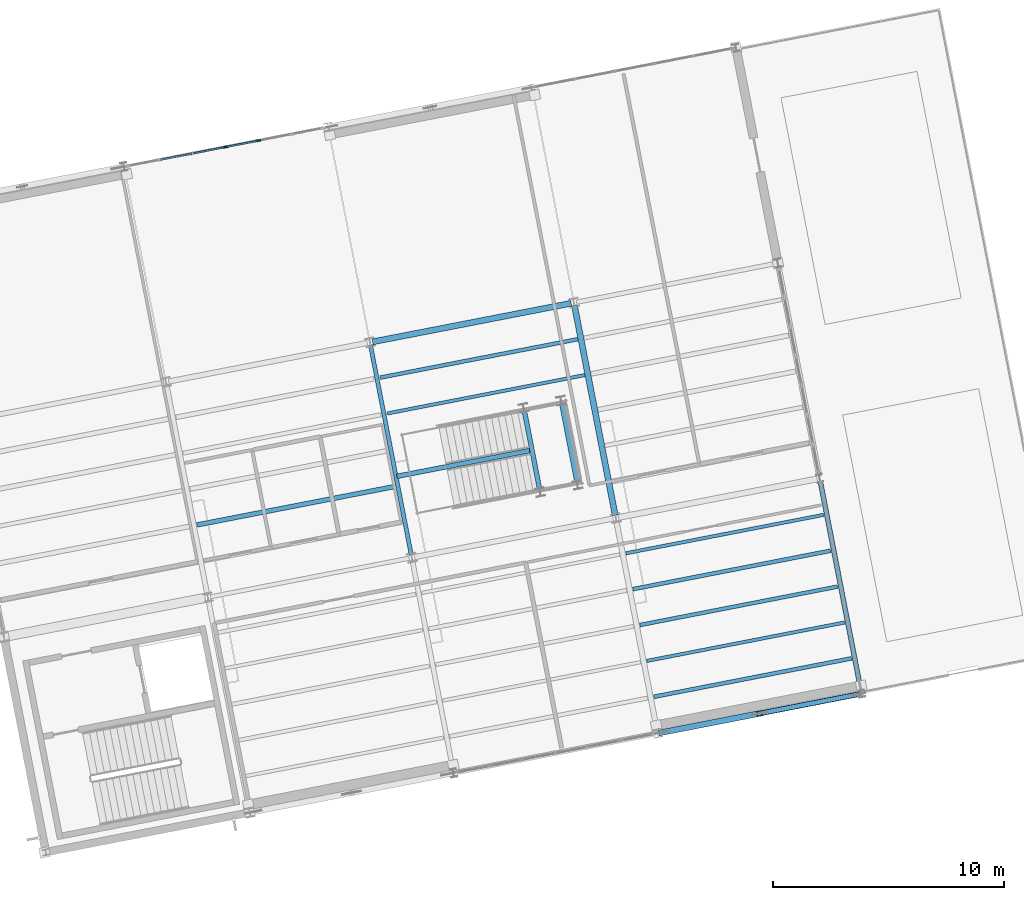
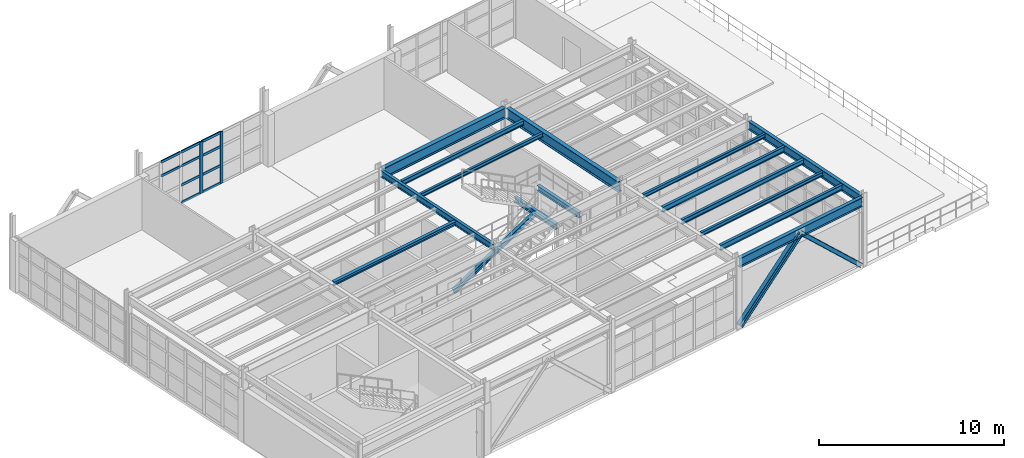
# One storey, part 23 of 109: 15 beams, 15 members, 1 element without a shape of its own.
"""IFC4 building model written with IfcOpenShell, lengths in metres."""

from ifc_helpers import new_model, si_unit, direction, frame, origin, origin_2d, place, context, subcontext, project, spatial, rectangle, i_section, extrude, material, layer, layer_set, material_profile, profile_set, type_object, element, aggregate, save


model = new_model("IFC4")

# Units and contexts
model_context = context("Model", 3, precision=1e-05, world=origin(), true_north=direction((0.0, 1.0)))
body_context = subcontext(model_context, "Body", "Model", "MODEL_VIEW")
ifc_project = project(units=[si_unit("LENGTHUNIT", "METRE"), si_unit("AREAUNIT", "SQUARE_METRE"), si_unit("VOLUMEUNIT", "CUBIC_METRE"), si_unit("PLANEANGLEUNIT", "RADIAN"), si_unit("MASSUNIT", "GRAM", prefix="KILO")], contexts=[model_context])

# Site, building, storey
site_placement = place(None, origin())
site = spatial("IfcSite", under=ifc_project, at=site_placement, CompositionType="ELEMENT")
building_placement = place(site_placement, origin())
building = spatial("IfcBuilding", under=site, at=building_placement, Name="Vireo Bluff Cable Station", CompositionType="ELEMENT")
storey_placement = place(building_placement, frame((0.0, 0.0, 4.800048828125)))
storey = spatial("IfcBuildingStorey", under=building, at=storey_placement, Name="L01", CompositionType="ELEMENT", Elevation=4.800048828125)

# Beams
ifc_material_1 = material(Name="Steel ASTM A992 Gr. 50", Category="steel")
ifc_material_profile_1 = material_profile(ifc_material_1, i_section(OverallWidth=0.2041015625, OverallDepth=0.35009765625, WebThickness=0.008544921875, FlangeThickness=0.01513671875, FilletRadius=0.010009765625, at=origin_2d()), Name="W14X48")
ifc_profile_set_1 = profile_set([ifc_material_profile_1], Name="Steel ASTM A992 Gr. 50")
beam_type_1 = type_object("IfcBeamType", Name="BM-W14X48", PredefinedType="BEAM", material=ifc_profile_set_1)
for number, where, z_axis, x_axis, name in (
    (1, (30.891357421875, 21.230712890625, 2.02490234375), (-0.190776574878, 0.981633484799, 0.0), (-0.981633484799, -0.190776574878, 0.0), "ST-07 L01 landing header beam N"),
    (2, (32.51123046875, 21.545654296875, 2.02490234375), (-0.190844963789, 0.981620191213, 0.0), (-0.981620191213, -0.190844963789, 0.0), "ST-07 L01 landing header beam F"),
):
    element("IfcBeam", number, at=place(storey_placement, frame(where, z_axis=z_axis, x_axis=x_axis)), inside=storey, type_object=beam_type_1, Name=name, PredefinedType="BEAM", context=body_context, shape_type="SweptSolid", body=[
        extrude(i_section(OverallWidth=0.2041015625, OverallDepth=0.35009765625, WebThickness=0.008544921875, FlangeThickness=0.01513671875, FilletRadius=0.010009765625, at=origin_2d()), origin(), (0.0, 0.0, 1.0), 3.43994140625),
    ])
ifc_material_profile_2 = material_profile(ifc_material_1, i_section(OverallWidth=0.178955078125, OverallDepth=0.408935546875, WebThickness=0.0087890625, FlangeThickness=0.014404296875, FilletRadius=0.010009765625, at=origin_2d()), Name="W16X45")
ifc_profile_set_2 = profile_set([ifc_material_profile_2], Name="Steel ASTM A992 Gr. 50")
beam_type_2 = type_object("IfcBeamType", Name="BM-W16X45", PredefinedType="BEAM", material=ifc_profile_set_2)
beam_1_placement = place(storey_placement, frame((25.333740234375, 18.3779296875, 4.33544921875), z_axis=(-0.190804735679, 0.981628011439, 0.0), x_axis=(-0.981628011439, -0.190804735679, 0.0)))
element("IfcBeam", 3, at=beam_1_placement, inside=storey, type_object=beam_type_2, Name="V5 L01 beam 1209", PredefinedType="BEAM", context=body_context, shape_type="SweptSolid", body=[
    extrude(i_section(OverallWidth=0.178955078125, OverallDepth=0.408935546875, WebThickness=0.0087890625, FlangeThickness=0.014404296875, FilletRadius=0.010009765625, at=origin_2d()), origin(), (0.0, 0.0, 1.0), 9.260009765625),
])

# Members
ifc_material_profile_3 = material_profile(ifc_material_1, i_section(OverallWidth=0.2041015625, OverallDepth=0.257080078125, WebThickness=0.0087890625, FlangeThickness=0.015625, FilletRadius=0.009033203125, at=origin_2d()), Name="W10X45")
ifc_profile_set_3 = profile_set([ifc_material_profile_3], Name="Steel ASTM A992 Gr. 50")
member_type_1 = type_object("IfcMemberType", Name="BRC-01", PredefinedType="BRACE", material=ifc_profile_set_3)
member_1_placement = place(storey_placement, frame((44.681396484375, 12.338623046875, 0.0400390625), z_axis=(-0.710296245471, -0.138070192816, 0.690228850111), x_axis=(0.190812443151, -0.981626513262, 0.0)))
element("IfcMember", 4, at=member_1_placement, inside=storey, type_object=member_type_1, Name="V5 L01 concentric brace 96R", PredefinedType="BRACE", context=body_context, shape_type="SweptSolid", body=[
    extrude(i_section(OverallWidth=0.2041015625, OverallDepth=0.257080078125, WebThickness=0.0087890625, FlangeThickness=0.015625, FilletRadius=0.009033203125, at=origin_2d()), origin(), (0.0, 0.0, 1.0), 5.997802734375),
])
ifc_material_profile_4 = material_profile(ifc_material_1, i_section(OverallWidth=0.25390625, OverallDepth=0.35302734375, WebThickness=0.009521484375, FlangeThickness=0.016357421875, FilletRadius=0.011962890625, at=origin_2d()), Name="W14X61")
ifc_profile_set_4 = profile_set([ifc_material_profile_4], Name="Steel ASTM A992 Gr. 50")
member_type_2 = type_object("IfcMemberType", Name="BRC-06", PredefinedType="BRACE", material=ifc_profile_set_4)
member_2_placement = place(storey_placement, frame((36.160888671875, 10.682373046875, 0.0400390625), z_axis=(0.710296245471, 0.138070192816, 0.690228850111), x_axis=(-0.190812443151, 0.981626513262, 0.0)))
element("IfcMember", 5, at=member_2_placement, inside=storey, type_object=member_type_2, Name="V5 L01 concentric brace 95L", PredefinedType="BRACE", context=body_context, shape_type="SweptSolid", body=[
    extrude(i_section(OverallWidth=0.25390625, OverallDepth=0.35302734375, WebThickness=0.009521484375, FlangeThickness=0.016357421875, FilletRadius=0.011962890625, at=origin_2d()), origin(), (0.0, 0.0, 1.0), 5.997802734375),
])

# Curtain wall, members
ifc_material_2 = material(Name="Anodized Aluminium 6063-T6", Category="aluminium")
ifc_layer = layer(ifc_material_2, 0.179931640625, Name="Anodized Aluminium 6063-T6")
ifc_layer_set = layer_set([ifc_layer], Name="Anodized Aluminium 6063-T6")
curtain_wall_type = type_object("IfcCurtainWallType", Name="CW-UNIT-1500", PredefinedType="USERDEFINED", material=ifc_layer_set)
curtain_wall_placement = place(storey_placement, origin())
curtain_wall = element("IfcCurtainWall", 6, at=curtain_wall_placement, inside=storey, type_object=curtain_wall_type, Name="V5 L01 north curtain wall CW-121", ObjectType="UNITISED CURTAIN WALL", PredefinedType="USERDEFINED")
ifc_material_profile_5 = material_profile(ifc_material_2, rectangle(XDim=0.074951171875, YDim=0.2099609375, at=origin_2d()), Name="ALU-M-75X210")
ifc_profile_set_5 = profile_set([ifc_material_profile_5], Name="Anodized Aluminium 6063-T6")
member_type_3 = type_object("IfcMemberType", Name="CWM-02", PredefinedType="MULLION", material=ifc_profile_set_5)
member_3_placement = place(storey_placement, frame((17.2861328125, 36.046875, 0.0), z_axis=(0.0, 0.0, 1.0), x_axis=(-0.190808984446, 0.981627185572, 0.0)))
member_3 = element("IfcMember", 7, at=member_3_placement, type_object=member_type_3, Name="CW-121 mullion 4", PredefinedType="MULLION", context=body_context, shape_type="SweptSolid", body=[
    extrude(rectangle(XDim=0.074951171875, YDim=0.2099609375, at=origin_2d()), origin(), (0.0, 0.0, 1.0), 3.39990234375),
])
member_4_placement = place(storey_placement, frame((18.706787109375, 36.322998046875, 0.0), z_axis=(0.0, 0.0, 1.0), x_axis=(-0.190808984446, 0.981627185572, 0.0)))
member_4 = element("IfcMember", 8, at=member_4_placement, type_object=member_type_3, Name="CW-121 mullion 5", PredefinedType="MULLION", context=body_context, shape_type="SweptSolid", body=[
    extrude(rectangle(XDim=0.074951171875, YDim=0.2099609375, at=origin_2d()), origin(), (0.0, 0.0, 1.0), 3.39990234375),
])
ifc_material_profile_6 = material_profile(ifc_material_2, rectangle(XDim=0.074951171875, YDim=0.159912109375, at=origin_2d()), Name="ALU-T-75X160")
ifc_profile_set_6 = profile_set([ifc_material_profile_6], Name="Anodized Aluminium 6063-T6")
member_type_4 = type_object("IfcMemberType", Name="CWT-02", PredefinedType="USERDEFINED", material=ifc_profile_set_6)
member_5_placement = place(storey_placement, frame((14.48193359375, 35.501708984375, 2.447998046875), z_axis=(0.981607054743, 0.190912519438, 0.0), x_axis=(-0.190912519438, 0.981607054743, 0.0)))
member_5 = element("IfcMember", 9, at=member_5_placement, type_object=member_type_4, Name="CW-121 transom 2.3", ObjectType="TRANSOM", PredefinedType="USERDEFINED", context=body_context, shape_type="SweptSolid", body=[
    extrude(rectangle(XDim=0.074951171875, YDim=0.159912109375, at=origin_2d()), origin(), (0.0, 0.0, 1.0), 1.3720703125),
])
member_6_placement = place(storey_placement, frame((14.48193359375, 35.501708984375, 3.362548828125), z_axis=(0.981607054743, 0.190912519438, 0.0), x_axis=(-0.190912519438, 0.981607054743, 0.0)))
member_6 = element("IfcMember", 10, at=member_6_placement, type_object=member_type_4, Name="CW-121 transom 2.4", ObjectType="TRANSOM", PredefinedType="USERDEFINED", context=body_context, shape_type="SweptSolid", body=[
    extrude(rectangle(XDim=0.074951171875, YDim=0.159912109375, at=origin_2d()), origin(), (0.0, 0.0, 1.0), 1.3720703125),
])
member_7_placement = place(storey_placement, frame((15.902587890625, 35.77783203125, 0.037353515625), z_axis=(0.981600568141, 0.190945868313, 0.0), x_axis=(-0.190945868313, 0.981600568141, 0.0)))
member_7 = element("IfcMember", 11, at=member_7_placement, type_object=member_type_4, Name="CW-121 transom 3.1", ObjectType="TRANSOM", PredefinedType="USERDEFINED", context=body_context, shape_type="SweptSolid", body=[
    extrude(rectangle(XDim=0.074951171875, YDim=0.159912109375, at=origin_2d()), origin(), (0.0, 0.0, 1.0), 1.371826171875),
])
member_8_placement = place(storey_placement, frame((15.902587890625, 35.77783203125, 1.18994140625), z_axis=(0.981600568141, 0.190945868313, 0.0), x_axis=(-0.190945868313, 0.981600568141, 0.0)))
member_8 = element("IfcMember", 12, at=member_8_placement, type_object=member_type_4, Name="CW-121 transom 3.2", ObjectType="TRANSOM", PredefinedType="USERDEFINED", context=body_context, shape_type="SweptSolid", body=[
    extrude(rectangle(XDim=0.074951171875, YDim=0.159912109375, at=origin_2d()), origin(), (0.0, 0.0, 1.0), 1.371826171875),
])
member_9_placement = place(storey_placement, frame((15.902587890625, 35.77783203125, 2.447998046875), z_axis=(0.981600568141, 0.190945868313, 0.0), x_axis=(-0.190945868313, 0.981600568141, 0.0)))
member_9 = element("IfcMember", 13, at=member_9_placement, type_object=member_type_4, Name="CW-121 transom 3.3", ObjectType="TRANSOM", PredefinedType="USERDEFINED", context=body_context, shape_type="SweptSolid", body=[
    extrude(rectangle(XDim=0.074951171875, YDim=0.159912109375, at=origin_2d()), origin(), (0.0, 0.0, 1.0), 1.371826171875),
])
member_10_placement = place(storey_placement, frame((15.902587890625, 35.77783203125, 3.362548828125), z_axis=(0.981600568141, 0.190945868313, 0.0), x_axis=(-0.190945868313, 0.981600568141, 0.0)))
member_10 = element("IfcMember", 14, at=member_10_placement, type_object=member_type_4, Name="CW-121 transom 3.4", ObjectType="TRANSOM", PredefinedType="USERDEFINED", context=body_context, shape_type="SweptSolid", body=[
    extrude(rectangle(XDim=0.074951171875, YDim=0.159912109375, at=origin_2d()), origin(), (0.0, 0.0, 1.0), 1.371826171875),
])
member_11_placement = place(storey_placement, frame((17.322998046875, 36.053955078125, 0.037353515625), z_axis=(0.981607054743, 0.190912519438, 0.0), x_axis=(-0.190912519438, 0.981607054743, 0.0)))
member_11 = element("IfcMember", 15, at=member_11_placement, type_object=member_type_4, Name="CW-121 transom 4.1", ObjectType="TRANSOM", PredefinedType="USERDEFINED", context=body_context, shape_type="SweptSolid", body=[
    extrude(rectangle(XDim=0.074951171875, YDim=0.159912109375, at=origin_2d()), origin(), (0.0, 0.0, 1.0), 1.3720703125),
])
member_12_placement = place(storey_placement, frame((17.322998046875, 36.053955078125, 1.18994140625), z_axis=(0.981607054743, 0.190912519438, 0.0), x_axis=(-0.190912519438, 0.981607054743, 0.0)))
member_12 = element("IfcMember", 16, at=member_12_placement, type_object=member_type_4, Name="CW-121 transom 4.2", ObjectType="TRANSOM", PredefinedType="USERDEFINED", context=body_context, shape_type="SweptSolid", body=[
    extrude(rectangle(XDim=0.074951171875, YDim=0.159912109375, at=origin_2d()), origin(), (0.0, 0.0, 1.0), 1.3720703125),
])
member_13_placement = place(storey_placement, frame((17.322998046875, 36.053955078125, 2.447998046875), z_axis=(0.981607054743, 0.190912519438, 0.0), x_axis=(-0.190912519438, 0.981607054743, 0.0)))
member_13 = element("IfcMember", 17, at=member_13_placement, type_object=member_type_4, Name="CW-121 transom 4.3", ObjectType="TRANSOM", PredefinedType="USERDEFINED", context=body_context, shape_type="SweptSolid", body=[
    extrude(rectangle(XDim=0.074951171875, YDim=0.159912109375, at=origin_2d()), origin(), (0.0, 0.0, 1.0), 1.3720703125),
])
member_14_placement = place(storey_placement, frame((17.322998046875, 36.053955078125, 3.362548828125), z_axis=(0.981607054743, 0.190912519438, 0.0), x_axis=(-0.190912519438, 0.981607054743, 0.0)))
member_14 = element("IfcMember", 18, at=member_14_placement, type_object=member_type_4, Name="CW-121 transom 4.4", ObjectType="TRANSOM", PredefinedType="USERDEFINED", context=body_context, shape_type="SweptSolid", body=[
    extrude(rectangle(XDim=0.074951171875, YDim=0.159912109375, at=origin_2d()), origin(), (0.0, 0.0, 1.0), 1.3720703125),
])
aggregate(curtain_wall, [member_3, member_4, member_5, member_6, member_7, member_8, member_9, member_10, member_11, member_12, member_13, member_14])

# Beams
ifc_material_profile_7 = material_profile(ifc_material_1, i_section(OverallWidth=0.14599609375, OverallDepth=0.259033203125, WebThickness=0.006103515625, FlangeThickness=0.009033203125, FilletRadius=0.009033203125, at=origin_2d()), Name="W10X22")
ifc_profile_set_7 = profile_set([ifc_material_profile_7], Name="Steel ASTM A992 Gr. 50")
beam_type_3 = type_object("IfcBeamType", Name="JST-W10X22", PredefinedType="JOIST", material=ifc_profile_set_7)
for number, where, z_axis, x_axis, name in (
    (19, (24.28564453125, 24.503662109375, 4.410400390625), (0.981628064538, 0.190804462503, 0.0), (-0.190804462503, 0.981628064538, 0.0), "V5 L01 composite joist 1232"),
    (20, (35.537109375, 13.787109375, 4.410400390625), (0.981628064538, 0.190804462503, 0.0), (-0.190804462503, 0.981628064538, 0.0), "V5 L01 composite joist 1240"),
    (21, (34.630859375, 18.44970703125, 4.410400390625), (0.981628064538, 0.190804462503, 0.0), (-0.190804462503, 0.981628064538, 0.0), "V5 L01 composite joist 1243"),
):
    element("IfcBeam", number, at=place(storey_placement, frame(where, z_axis=z_axis, x_axis=x_axis)), inside=storey, type_object=beam_type_3, Name=name, PredefinedType="JOIST", context=body_context, shape_type="SweptSolid", body=[
        extrude(i_section(OverallWidth=0.14599609375, OverallDepth=0.259033203125, WebThickness=0.006103515625, FlangeThickness=0.009033203125, FilletRadius=0.009033203125, at=origin_2d()), origin(), (0.0, 0.0, 1.0), 8.719970703125),
    ])
ifc_material_profile_8 = material_profile(ifc_material_1, i_section(OverallWidth=0.201904296875, OverallDepth=0.2470703125, WebThickness=0.00732421875, FlangeThickness=0.010986328125, FilletRadius=0.009033203125, at=origin_2d()), Name="W10X33")
ifc_profile_set_8 = profile_set([ifc_material_profile_8], Name="Steel ASTM A992 Gr. 50")
beam_type_4 = type_object("IfcBeamType", Name="JST-W10X33", PredefinedType="JOIST", material=ifc_profile_set_8)
beam_2_placement = place(storey_placement, frame((16.05517578125, 19.677978515625, 4.41650390625), z_axis=(0.981628064538, 0.190804462503, 0.0), x_axis=(-0.190804462503, 0.981628064538, 0.0)))
element("IfcBeam", 22, at=beam_2_placement, inside=storey, type_object=beam_type_4, Name="V5 L01 composite joist 1223", PredefinedType="JOIST", context=body_context, shape_type="SweptSolid", body=[
    extrude(i_section(OverallWidth=0.201904296875, OverallDepth=0.2470703125, WebThickness=0.00732421875, FlangeThickness=0.010986328125, FilletRadius=0.009033203125, at=origin_2d()), origin(), (0.0, 0.0, 1.0), 8.719970703125),
])
ifc_material_profile_9 = material_profile(ifc_material_1, i_section(OverallWidth=0.1650390625, OverallDepth=0.31005859375, WebThickness=0.005859375, FlangeThickness=0.009765625, FilletRadius=0.010009765625, at=origin_2d()), Name="W12X26")
ifc_profile_set_9 = profile_set([ifc_material_profile_9], Name="Steel ASTM A992 Gr. 50")
beam_type_5 = type_object("IfcBeamType", Name="JST-W12X26", PredefinedType="JOIST", material=ifc_profile_set_9)
for number, where, z_axis, x_axis, name in (
    (23, (23.9833984375, 26.057861328125, 4.385009765625), (0.98162282025, 0.190831440713, 0.0), (-0.190831440713, 0.98162282025, 0.0), "V5 L01 composite joist 1233"),
    (24, (35.235107421875, 15.34130859375, 4.385009765625), (0.981628064538, 0.190804462503, 0.0), (-0.190804462503, 0.981628064538, 0.0), "V5 L01 composite joist 1241"),
):
    element("IfcBeam", number, at=place(storey_placement, frame(where, z_axis=z_axis, x_axis=x_axis)), inside=storey, type_object=beam_type_5, Name=name, PredefinedType="JOIST", context=body_context, shape_type="SweptSolid", body=[
        extrude(i_section(OverallWidth=0.1650390625, OverallDepth=0.31005859375, WebThickness=0.005859375, FlangeThickness=0.009765625, FilletRadius=0.010009765625, at=origin_2d()), origin(), (0.0, 0.0, 1.0), 8.719970703125),
    ])
ifc_material_profile_10 = material_profile(ifc_material_1, i_section(OverallWidth=0.1708984375, OverallDepth=0.35107421875, WebThickness=0.0068359375, FlangeThickness=0.009765625, FilletRadius=0.010009765625, at=origin_2d()), Name="W14X30")
ifc_profile_set_10 = profile_set([ifc_material_profile_10], Name="Steel ASTM A992 Gr. 50")
beam_type_6 = type_object("IfcBeamType", Name="JST-W14X30", PredefinedType="JOIST", material=ifc_profile_set_10)
beam_3_placement = place(storey_placement, frame((35.83935546875, 12.23291015625, 4.364501953125), z_axis=(0.981627045201, 0.19080970659, 0.0), x_axis=(-0.19080970659, 0.981627045201, 0.0)))
element("IfcBeam", 25, at=beam_3_placement, inside=storey, type_object=beam_type_6, Name="V5 L01 composite joist 1239", PredefinedType="JOIST", context=body_context, shape_type="SweptSolid", body=[
    extrude(i_section(OverallWidth=0.1708984375, OverallDepth=0.35107421875, WebThickness=0.0068359375, FlangeThickness=0.009765625, FilletRadius=0.010009765625, at=origin_2d()), origin(), (0.0, 0.0, 1.0), 8.7197265625),
])
beam_4_placement = place(storey_placement, frame((34.932861328125, 16.8955078125, 4.364501953125), z_axis=(0.981628064538, 0.190804462503, 0.0), x_axis=(-0.190804462503, 0.981628064538, 0.0)))
element("IfcBeam", 26, at=beam_4_placement, inside=storey, type_object=beam_type_6, Name="V5 L01 composite joist 1242", PredefinedType="JOIST", context=body_context, shape_type="SweptSolid", body=[
    extrude(i_section(OverallWidth=0.1708984375, OverallDepth=0.35107421875, WebThickness=0.0068359375, FlangeThickness=0.009765625, FilletRadius=0.010009765625, at=origin_2d()), origin(), (0.0, 0.0, 1.0), 8.719970703125),
])
ifc_material_profile_11 = material_profile(ifc_material_1, i_section(OverallWidth=0.2099609375, OverallDepth=0.535888671875, WebThickness=0.010986328125, FlangeThickness=0.017333984375, FilletRadius=0.012939453125, at=origin_2d()), Name="W21X68")
ifc_profile_set_11 = profile_set([ifc_material_profile_11], Name="Steel ASTM A992 Gr. 50")
beam_type_7 = type_object("IfcBeamType", Name="SPN-W21X68", PredefinedType="SPANDREL", material=ifc_profile_set_11)
beam_5_placement = place(storey_placement, frame((44.815673828125, 12.48681640625, 4.27197265625), z_axis=(-0.190799797627, 0.981628971264, 0.0), x_axis=(-0.981628971264, -0.190799797627, 0.0)))
element("IfcBeam", 27, at=beam_5_placement, inside=storey, type_object=beam_type_7, Name="V5 L01 spandrel 1237", PredefinedType="SPANDREL", context=body_context, shape_type="SweptSolid", body=[
    extrude(i_section(OverallWidth=0.2099609375, OverallDepth=0.535888671875, WebThickness=0.010986328125, FlangeThickness=0.017333984375, FilletRadius=0.012939453125, at=origin_2d()), origin(), (0.0, 0.0, 1.0), 9.26025390625),
])
ifc_material_profile_12 = material_profile(ifc_material_1, i_section(OverallWidth=0.22802734375, OverallDepth=0.60693359375, WebThickness=0.01123046875, FlangeThickness=0.017333984375, FilletRadius=0.012939453125, at=origin_2d()), Name="W24X76")
ifc_profile_set_12 = profile_set([ifc_material_profile_12], Name="Steel ASTM A992 Gr. 50")
beam_type_8 = type_object("IfcBeamType", Name="SPN-W24X76", PredefinedType="SPANDREL", material=ifc_profile_set_12)
beam_6_placement = place(storey_placement, frame((36.121826171875, 10.6748046875, 4.236572265625), z_axis=(0.981628586979, 0.190801774693, 0.0), x_axis=(-0.190801774693, 0.981628586979, 0.0)))
element("IfcBeam", 28, at=beam_6_placement, inside=storey, type_object=beam_type_8, Name="V5 L01 spandrel 1234", PredefinedType="SPANDREL", context=body_context, shape_type="SweptSolid", body=[
    extrude(i_section(OverallWidth=0.22802734375, OverallDepth=0.60693359375, WebThickness=0.01123046875, FlangeThickness=0.017333984375, FilletRadius=0.012939453125, at=origin_2d()), origin(), (0.0, 0.0, 1.0), 8.759765625),
])
ifc_material_profile_13 = material_profile(ifc_material_1, i_section(OverallWidth=0.257080078125, OverallDepth=0.693115234375, WebThickness=0.014404296875, FlangeThickness=0.023681640625, FilletRadius=0.014892578125, at=origin_2d()), Name="W27X114")
ifc_profile_set_13 = profile_set([ifc_material_profile_13], Name="Steel ASTM A992 Gr. 50")
beam_type_9 = type_object("IfcBeamType", Name="SPN-W27X114", PredefinedType="SPANDREL", material=ifc_profile_set_13)
beam_7_placement = place(storey_placement, frame((23.66162109375, 27.6083984375, 4.193359375), z_axis=(0.981629601573, 0.190796554777, 0.0), x_axis=(-0.190796554777, 0.981629601573, 0.0)))
element("IfcBeam", 29, at=beam_7_placement, inside=storey, type_object=beam_type_9, Name="V5 L01 spandrel 1203", PredefinedType="SPANDREL", context=body_context, shape_type="SweptSolid", body=[
    extrude(i_section(OverallWidth=0.257080078125, OverallDepth=0.693115234375, WebThickness=0.014404296875, FlangeThickness=0.023681640625, FilletRadius=0.014892578125, at=origin_2d()), origin(), (0.0, 0.0, 1.0), 8.760009765625),
])
beam_8_placement = place(storey_placement, frame((34.16845703125, 20.09521484375, 4.193359375), z_axis=(-0.190830140795, 0.981623072958, 0.0), x_axis=(-0.981623072958, -0.190830140795, 0.0)))
element("IfcBeam", 30, at=beam_8_placement, inside=storey, type_object=beam_type_9, Name="V5 L01 spandrel 1211", PredefinedType="SPANDREL", context=body_context, shape_type="SweptSolid", body=[
    extrude(i_section(OverallWidth=0.257080078125, OverallDepth=0.693115234375, WebThickness=0.014404296875, FlangeThickness=0.023681640625, FilletRadius=0.014892578125, at=origin_2d()), origin(), (0.0, 0.0, 1.0), 9.260009765625),
])

# Member
ifc_material_profile_14 = material_profile(ifc_material_1, i_section(OverallWidth=0.202880859375, OverallDepth=0.302978515625, WebThickness=0.007568359375, FlangeThickness=0.01318359375, FilletRadius=0.010009765625, at=origin_2d()), Name="W12X40")
ifc_profile_set_14 = profile_set([ifc_material_profile_14], Name="Steel ASTM A992 Gr. 50")
member_type_5 = type_object("IfcMemberType", Name="STRINGER-02", PredefinedType="STRINGER", material=ifc_profile_set_14)
member_15_placement = place(storey_placement, frame((24.771728515625, 21.793212890625, -0.43994140625), z_axis=(0.904600999462, 0.175874340825, 0.38828500874), x_axis=(-0.190848435352, 0.981619516271, 0.0)))
element("IfcMember", 31, at=member_15_placement, inside=storey, type_object=member_type_5, Name="ST-07 L01 steel stair stringer", PredefinedType="STRINGER", context=body_context, shape_type="SweptSolid", body=[
    extrude(i_section(OverallWidth=0.202880859375, OverallDepth=0.302978515625, WebThickness=0.007568359375, FlangeThickness=0.01318359375, FilletRadius=0.010009765625, at=origin_2d()), origin(), (0.0, 0.0, 1.0), 6.34814453125),
])

save(model, "model.ifc")
